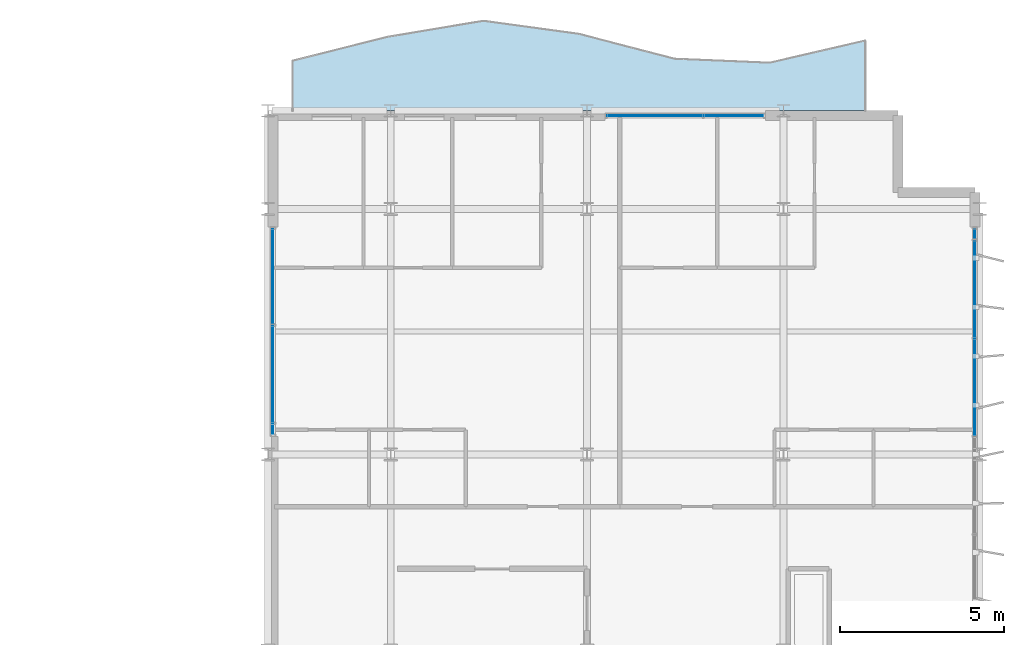
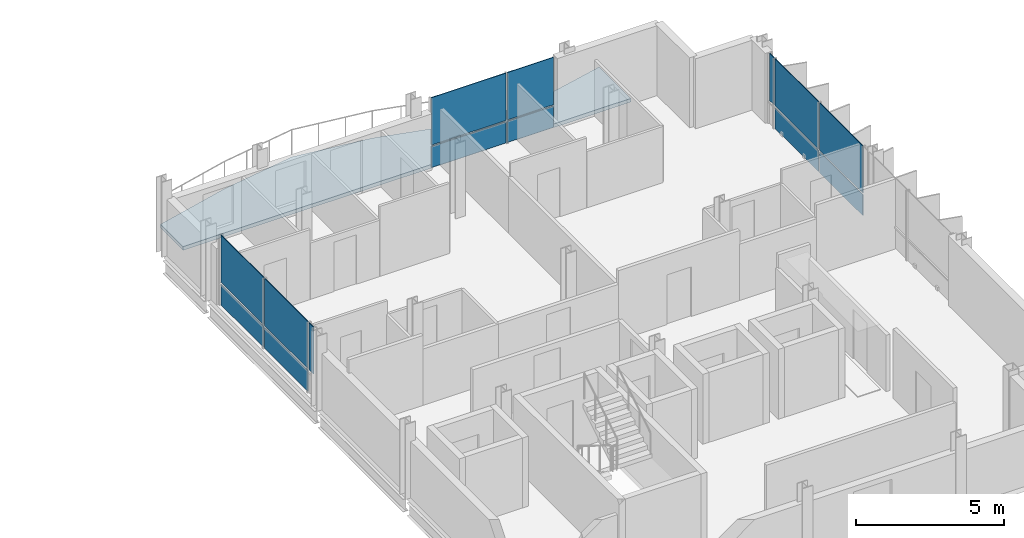
# One storey, part 18 of 28: 14 plates, 1 slab, 3 elements without a shape of their own.
"""IFC4 building model written with IfcOpenShell, lengths in metres."""

from ifc_helpers import new_model, si_unit, direction, frame, origin, origin_2d, place, context, subcontext, project, spatial, polyline, rectangle, outline, extrude, material, layer, layer_set, type_object, element, aggregate, save


model = new_model("IFC4")

# Units and contexts
model_context = context("Model", 3, precision=1e-05, world=origin(), true_north=direction((0.0, 1.0)))
body_context = subcontext(model_context, "Body", "Model", "MODEL_VIEW")
ifc_project = project(units=[si_unit("LENGTHUNIT", "METRE"), si_unit("AREAUNIT", "SQUARE_METRE"), si_unit("VOLUMEUNIT", "CUBIC_METRE"), si_unit("PLANEANGLEUNIT", "RADIAN"), si_unit("MASSUNIT", "GRAM", prefix="KILO")], contexts=[model_context])

# Site, building, storey
site_placement = place(None, origin())
site = spatial("IfcSite", under=ifc_project, at=site_placement, CompositionType="ELEMENT")
building_placement = place(site_placement, origin())
building = spatial("IfcBuilding", under=site, at=building_placement, Name="Brevholm Reach", CompositionType="ELEMENT")
storey_placement = place(building_placement, frame((0.0, 0.0, 192.5)))
storey = spatial("IfcBuildingStorey", under=building, at=storey_placement, Name="L58", CompositionType="ELEMENT", Elevation=192.5)

# Curtain wall, plates
ifc_material_1 = material(Name="Dark Anodised Aluminium 6063-T6 and Solar-Control Glass", Category="aluminium")
ifc_layer_1 = layer(ifc_material_1, 0.1650390625)
ifc_layer_set_1 = layer_set([ifc_layer_1], Name="Dark Anodised Aluminium 6063-T6 and Solar-Control Glass")
curtain_wall_type_1 = type_object("IfcCurtainWallType", Name="CW-04", PredefinedType="NOTDEFINED", material=ifc_layer_set_1)
curtain_wall_1_placement = place(storey_placement, origin())
curtain_wall_1 = element("IfcCurtainWall", 1, at=curtain_wall_1_placement, inside=storey, type_object=curtain_wall_type_1, Name="L58 Curtain Wall CW-04", PredefinedType="NOTDEFINED")
ifc_material_2 = material(Name="Dark Solar-Control Double-Glazed IGU Glass", Category="glass")
ifc_layer_2 = layer(ifc_material_2, 0.028076171875)
ifc_layer_set_2 = layer_set([ifc_layer_2], Name="Dark Solar-Control Double-Glazed IGU Glass")
plate_type = type_object("IfcPlateType", Name="CWP-GLZ-28", PredefinedType="CURTAIN_PANEL", material=ifc_layer_set_2)
plate_1_placement = place(storey_placement, frame((38.39990234375, 21.4326171875, 0.0), z_axis=(0.0, 0.0, 1.0), x_axis=(0.0, -1.0, 0.0)))
plate_1 = element("IfcPlate", 2, at=plate_1_placement, type_object=plate_type, Name="CP-01 Glazing Panel 1.1", PredefinedType="CURTAIN_PANEL", context=body_context, shape_type="SweptSolid", body=[
    extrude(rectangle(XDim=2.89501953125, YDim=0.028076171875, at=origin_2d()), origin(), (0.0, 0.0, 1.0), 0.864990234375),
])
plate_2_placement = place(storey_placement, frame((38.39990234375, 21.4326171875, 0.93505859375), z_axis=(0.0, 0.0, 1.0), x_axis=(0.0, -1.0, 0.0)))
plate_2 = element("IfcPlate", 3, at=plate_2_placement, type_object=plate_type, Name="CP-01 Glazing Panel 1.2", PredefinedType="CURTAIN_PANEL", context=body_context, shape_type="SweptSolid", body=[
    extrude(rectangle(XDim=2.89501953125, YDim=0.028076171875, at=origin_2d()), origin(), (0.0, 0.0, 1.0), 1.955078125),
])
plate_3_placement = place(storey_placement, frame((38.39990234375, 18.449951171875, 0.0), z_axis=(0.0, 0.0, 1.0), x_axis=(0.0, -1.0, 0.0)))
plate_3 = element("IfcPlate", 4, at=plate_3_placement, type_object=plate_type, Name="CP-01 Glazing Panel 2.1", PredefinedType="CURTAIN_PANEL", context=body_context, shape_type="SweptSolid", body=[
    extrude(rectangle(XDim=2.929931640625, YDim=0.028076171875, at=origin_2d()), origin(), (0.0, 0.0, 1.0), 0.864990234375),
])
plate_4_placement = place(storey_placement, frame((38.39990234375, 18.449951171875, 0.93505859375), z_axis=(0.0, 0.0, 1.0), x_axis=(0.0, -1.0, 0.0)))
plate_4 = element("IfcPlate", 5, at=plate_4_placement, type_object=plate_type, Name="CP-01 Glazing Panel 2.2", PredefinedType="CURTAIN_PANEL", context=body_context, shape_type="SweptSolid", body=[
    extrude(rectangle(XDim=2.929931640625, YDim=0.028076171875, at=origin_2d()), origin(), (0.0, 0.0, 1.0), 1.955078125),
])
plate_5_placement = place(storey_placement, frame((38.39990234375, 16.767578125, 0.93505859375), z_axis=(0.0, 0.0, 1.0), x_axis=(0.0, -1.0, 0.0)))
plate_5 = element("IfcPlate", 6, at=plate_5_placement, type_object=plate_type, Name="CP-01 Glazing Panel 3.2", PredefinedType="CURTAIN_PANEL", context=body_context, shape_type="SweptSolid", body=[
    extrude(rectangle(XDim=0.294921875, YDim=0.028076171875, at=origin_2d()), origin(), (0.0, 0.0, 1.0), 1.955078125),
])
aggregate(curtain_wall_1, [plate_1, plate_2, plate_3, plate_4, plate_5])

ifc_material_3 = material(Name="Dark Anodised Aluminium 6063-T6 and Solar-Control Glass", Category="aluminium")
ifc_layer_3 = layer(ifc_material_3, 0.14990234375)
ifc_layer_set_3 = layer_set([ifc_layer_3], Name="Dark Anodised Aluminium 6063-T6 and Solar-Control Glass")
curtain_wall_type_2 = type_object("IfcCurtainWallType", Name="CW-01", PredefinedType="NOTDEFINED", material=ifc_layer_set_3)
curtain_wall_2_placement = place(storey_placement, origin())
curtain_wall_2 = element("IfcCurtainWall", 7, at=curtain_wall_2_placement, inside=storey, type_object=curtain_wall_type_2, Name="L58 Curtain Wall CW-01", PredefinedType="NOTDEFINED")
plate_6_placement = place(storey_placement, frame((59.85009765625, 18.050048828125, 0.0), z_axis=(0.0, 0.0, 1.0), x_axis=(0.0, 1.0, 0.0)))
plate_6 = element("IfcPlate", 8, at=plate_6_placement, type_object=plate_type, Name="CP-01 Glazing Panel 3.1", PredefinedType="CURTAIN_PANEL", context=body_context, shape_type="SweptSolid", body=[
    extrude(rectangle(XDim=2.93505859375, YDim=0.028076171875, at=origin_2d()), origin(), (0.0, 0.0, 1.0), 0.867431640625),
])
plate_7_placement = place(storey_placement, frame((59.85009765625, 18.050048828125, 0.932373046875), z_axis=(0.0, 0.0, 1.0), x_axis=(0.0, 1.0, 0.0)))
plate_7 = element("IfcPlate", 9, at=plate_7_placement, type_object=plate_type, Name="CP-01 Glazing Panel 3.2", PredefinedType="CURTAIN_PANEL", context=body_context, shape_type="SweptSolid", body=[
    extrude(rectangle(XDim=2.93505859375, YDim=0.028076171875, at=origin_2d()), origin(), (0.0, 0.0, 1.0), 1.95751953125),
])
plate_8_placement = place(storey_placement, frame((59.85009765625, 21.050048828125, 0.0), z_axis=(0.0, 0.0, 1.0), x_axis=(0.0, 1.0, 0.0)))
plate_8 = element("IfcPlate", 10, at=plate_8_placement, type_object=plate_type, Name="CP-01 Glazing Panel 4.1", PredefinedType="CURTAIN_PANEL", context=body_context, shape_type="SweptSolid", body=[
    extrude(rectangle(XDim=2.93505859375, YDim=0.028076171875, at=origin_2d()), origin(), (0.0, 0.0, 1.0), 0.867431640625),
])
plate_9_placement = place(storey_placement, frame((59.85009765625, 21.050048828125, 0.932373046875), z_axis=(0.0, 0.0, 1.0), x_axis=(0.0, 1.0, 0.0)))
plate_9 = element("IfcPlate", 11, at=plate_9_placement, type_object=plate_type, Name="CP-01 Glazing Panel 4.2", PredefinedType="CURTAIN_PANEL", context=body_context, shape_type="SweptSolid", body=[
    extrude(rectangle(XDim=2.93505859375, YDim=0.028076171875, at=origin_2d()), origin(), (0.0, 0.0, 1.0), 1.95751953125),
])
plate_10_placement = place(storey_placement, frame((59.85009765625, 22.733642578125, 0.932373046875), z_axis=(0.0, 0.0, 1.0), x_axis=(0.0, 1.0, 0.0)))
plate_10 = element("IfcPlate", 12, at=plate_10_placement, type_object=plate_type, Name="CP-01 Glazing Panel 5.2", PredefinedType="CURTAIN_PANEL", context=body_context, shape_type="SweptSolid", body=[
    extrude(rectangle(XDim=0.302490234375, YDim=0.028076171875, at=origin_2d()), origin(), (0.0, 0.0, 1.0), 1.95751953125),
])
aggregate(curtain_wall_2, [plate_6, plate_7, plate_8, plate_9, plate_10])

curtain_wall_3_placement = place(storey_placement, origin())
curtain_wall_3 = element("IfcCurtainWall", 13, at=curtain_wall_3_placement, inside=storey, type_object=curtain_wall_type_2, Name="L58 Curtain Wall CW-01", PredefinedType="NOTDEFINED")
plate_11_placement = place(storey_placement, frame((50.066162109375, 26.35009765625, 0.0), z_axis=(0.0, 0.0, 1.0), x_axis=(1.0, 0.0, 0.0)))
plate_11 = element("IfcPlate", 14, at=plate_11_placement, type_object=plate_type, Name="CP-01 Glazing Panel 1.1", PredefinedType="CURTAIN_PANEL", context=body_context, shape_type="SweptSolid", body=[
    extrude(rectangle(XDim=2.902587890625, YDim=0.028076171875, at=origin_2d()), origin(), (0.0, 0.0, 1.0), 0.867431640625),
])
plate_12_placement = place(storey_placement, frame((50.066162109375, 26.35009765625, 0.932373046875), z_axis=(0.0, 0.0, 1.0), x_axis=(1.0, 0.0, 0.0)))
plate_12 = element("IfcPlate", 15, at=plate_12_placement, type_object=plate_type, Name="CP-01 Glazing Panel 1.2", PredefinedType="CURTAIN_PANEL", context=body_context, shape_type="SweptSolid", body=[
    extrude(rectangle(XDim=2.902587890625, YDim=0.028076171875, at=origin_2d()), origin(), (0.0, 0.0, 1.0), 1.95751953125),
])
plate_13_placement = place(storey_placement, frame((52.483642578125, 26.35009765625, 0.0), z_axis=(0.0, 0.0, 1.0), x_axis=(1.0, 0.0, 0.0)))
plate_13 = element("IfcPlate", 16, at=plate_13_placement, type_object=plate_type, Name="CP-01 Glazing Panel 2.1", PredefinedType="CURTAIN_PANEL", context=body_context, shape_type="SweptSolid", body=[
    extrude(rectangle(XDim=1.802490234375, YDim=0.028076171875, at=origin_2d()), origin(), (0.0, 0.0, 1.0), 0.867431640625),
])
plate_14_placement = place(storey_placement, frame((52.483642578125, 26.35009765625, 0.932373046875), z_axis=(0.0, 0.0, 1.0), x_axis=(1.0, 0.0, 0.0)))
plate_14 = element("IfcPlate", 17, at=plate_14_placement, type_object=plate_type, Name="CP-01 Glazing Panel 2.2", PredefinedType="CURTAIN_PANEL", context=body_context, shape_type="SweptSolid", body=[
    extrude(rectangle(XDim=1.802490234375, YDim=0.028076171875, at=origin_2d()), origin(), (0.0, 0.0, 1.0), 1.95751953125),
])
aggregate(curtain_wall_3, [plate_11, plate_12, plate_13, plate_14])

# Slab
ifc_material_4 = material(Name="Precast Concrete C45/55", Category="concrete")
ifc_layer_4 = layer(ifc_material_4, 0.14990234375)
ifc_layer_set_4 = layer_set([ifc_layer_4], Name="Precast Concrete C45/55")
slab_type = type_object("IfcSlabType", Name="SLB-BAL-150", PredefinedType="FLOOR", material=ifc_layer_set_4)
slab_placement = place(storey_placement, frame((0.0, 0.0, -0.14990234375)))
element("IfcSlab", 18, at=slab_placement, inside=storey, type_object=slab_type, Name="L58 Rippling External Balcony NE", PredefinedType="FLOOR", context=body_context, shape_type="SweptSolid", body=[
    extrude(outline(polyline([(39.0, 26.5), (56.5, 26.5), (56.5, 28.6455078125), (53.583251953125, 27.96826171875), (50.666748046875, 28.08935546875), (47.75, 28.849609375), (44.833251953125, 29.248291015625), (41.916748046875, 28.760986328125), (39.0, 28.02880859375), (39.0, 26.5)])), origin(), (0.0, 0.0, 1.0), 0.14990234375),
])

save(model, "model.ifc")
